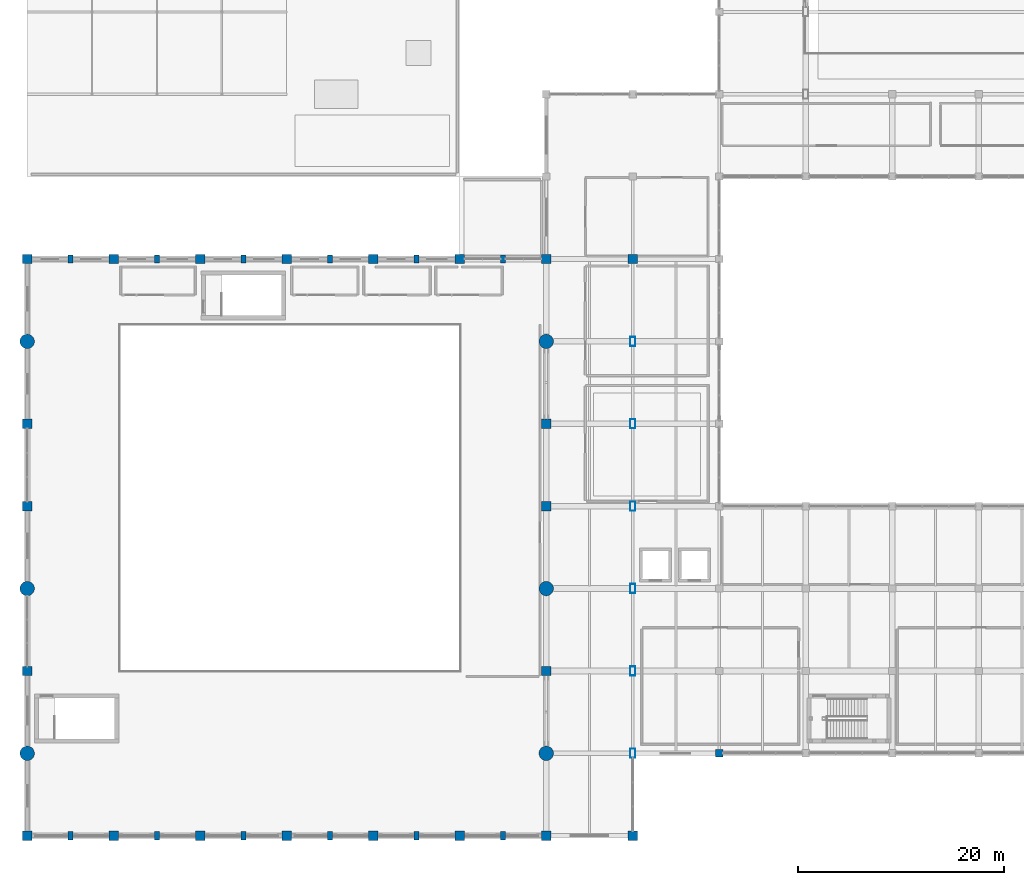
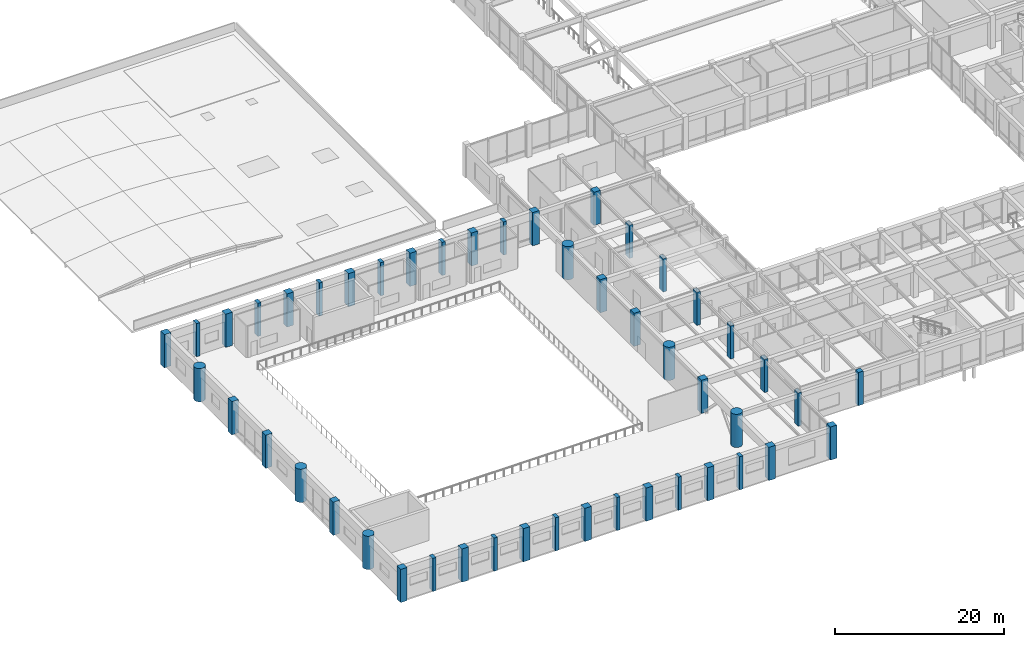
# One storey, part 1 of 76: 47 columns.
"""IFC4 building model written with IfcOpenShell, lengths in metres."""

from ifc_helpers import new_model, si_unit, direction, frame, origin, origin_2d, place, context, subcontext, project, spatial, rectangle, hollow_rectangle, circle, extrude, material, material_profile, profile_set, type_object, element, save


model = new_model("IFC4")

# Units and contexts
model_context = context("Model", 3, precision=1e-05, world=origin(), true_north=direction((0.0, 1.0)))
body_context = subcontext(model_context, "Body", "Model", "MODEL_VIEW")
ifc_project = project(units=[si_unit("LENGTHUNIT", "METRE"), si_unit("AREAUNIT", "SQUARE_METRE"), si_unit("VOLUMEUNIT", "CUBIC_METRE"), si_unit("PLANEANGLEUNIT", "RADIAN"), si_unit("MASSUNIT", "GRAM", prefix="KILO")], contexts=[model_context])

# Site, building, storey
site_placement = place(None, origin())
site = spatial("IfcSite", under=ifc_project, at=site_placement, CompositionType="ELEMENT")
building_placement = place(site_placement, origin())
building = spatial("IfcBuilding", under=site, at=building_placement, Name="Naruveol Harbour Congress Hotel", CompositionType="ELEMENT")
storey_placement = place(building_placement, frame((0.0, 0.0, 11.39990234375)))
storey = spatial("IfcBuildingStorey", under=building, at=storey_placement, Name="L02", CompositionType="ELEMENT", Elevation=11.39990234375)

# Columns
ifc_material_1 = material(Name="Concrete C50/60", Category="concrete")
ifc_material_profile_1 = material_profile(ifc_material_1, rectangle(XDim=0.449951171875, YDim=0.800048828125, at=origin_2d()), Name="RC-450x800")
ifc_profile_set_1 = profile_set([ifc_material_profile_1], Name="Concrete C50/60")
column_type_1 = type_object("IfcColumnType", Name="RC ACOUSTIC WALL PILASTER 450X800", PredefinedType="PILASTER", material=ifc_profile_set_1)
for number, where, z_axis, x_axis, name in (
    (1, (4.199951171875, 0.0, 0.0), (0.0, 0.0, 1.0), (1.0, 0.0, 0.0), "Column PL-450 L02 (4.2,0.0)"),
    (2, (4.199951171875, 56.0, 0.0), (0.0, 0.0, 1.0), (1.0, 0.0, 0.0), "Column PL-450 L02 (4.2,56.0)"),
    (3, (12.60009765625, 0.0, 0.0), (0.0, 0.0, 1.0), (1.0, 0.0, 0.0), "Column PL-450 L02 (12.6,0.0)"),
    (4, (12.60009765625, 56.0, 0.0), (0.0, 0.0, 1.0), (1.0, 0.0, 0.0), "Column PL-450 L02 (12.6,56.0)"),
    (5, (21.0, 0.0, 0.0), (0.0, 0.0, 1.0), (1.0, 0.0, 0.0), "Column PL-450 L02 (21.0,0.0)"),
    (6, (21.0, 56.0, 0.0), (0.0, 0.0, 1.0), (1.0, 0.0, 0.0), "Column PL-450 L02 (21.0,56.0)"),
    (7, (29.39990234375, 0.0, 0.0), (0.0, 0.0, 1.0), (1.0, 0.0, 0.0), "Column PL-450 L02 (29.4,0.0)"),
    (8, (29.39990234375, 56.0, 0.0), (0.0, 0.0, 1.0), (1.0, 0.0, 0.0), "Column PL-450 L02 (29.4,56.0)"),
    (9, (37.800048828125, 0.0, 0.0), (0.0, 0.0, 1.0), (1.0, 0.0, 0.0), "Column PL-450 L02 (37.8,0.0)"),
    (10, (37.800048828125, 56.0, 0.0), (0.0, 0.0, 1.0), (1.0, 0.0, 0.0), "Column PL-450 L02 (37.8,56.0)"),
    (11, (46.199951171875, 0.0, 0.0), (0.0, 0.0, 1.0), (1.0, 0.0, 0.0), "Column PL-450 L02 (46.2,0.0)"),
    (12, (46.199951171875, 56.0, 0.0), (0.0, 0.0, 1.0), (1.0, 0.0, 0.0), "Column PL-450 L02 (46.2,56.0)"),
):
    element("IfcColumn", number, at=place(storey_placement, frame(where, z_axis=z_axis, x_axis=x_axis)), inside=storey, type_object=column_type_1, Name=name, PredefinedType="PILASTER", context=body_context, shape_type="SweptSolid", body=[
        extrude(rectangle(XDim=0.449951171875, YDim=0.800048828125, at=origin_2d()), origin(), (0.0, 0.0, 1.0), 4.800048828125),
    ])
ifc_material_2 = material(Name="Concrete C40/50", Category="concrete")
ifc_material_profile_2 = material_profile(ifc_material_2, rectangle(XDim=0.699951171875, YDim=0.699951171875, at=origin_2d()), Name="RC-700x700")
ifc_profile_set_2 = profile_set([ifc_material_profile_2], Name="Concrete C40/50")
column_type_2 = type_object("IfcColumnType", Name="RC HOTEL COLUMN 700X700", PredefinedType="COLUMN", material=ifc_profile_set_2)
column_placement = place(storey_placement, frame((67.199951171875, 8.0, 0.0), z_axis=(0.0, 0.0, 1.0), x_axis=(1.0, 0.0, 0.0)))
element("IfcColumn", 13, at=column_placement, inside=storey, type_object=column_type_2, Name="Column C-700 L02 (67.2,8.0)", PredefinedType="COLUMN", context=body_context, shape_type="SweptSolid", body=[
    extrude(rectangle(XDim=0.699951171875, YDim=0.699951171875, at=origin_2d()), origin(), (0.0, 0.0, 1.0), 4.800048828125),
])
ifc_material_3 = material(Name="Concrete C50/60", Category="concrete")
ifc_material_profile_3 = material_profile(ifc_material_3, circle(Radius=0.699951171875, at=origin_2d()), Name="RC-D1400")
ifc_profile_set_3 = profile_set([ifc_material_profile_3], Name="Concrete C50/60")
column_type_3 = type_object("IfcColumnType", Name="RC MEGA COLUMN D1400", PredefinedType="COLUMN", material=ifc_profile_set_3)
for number, where, z_axis, x_axis, name in (
    (14, (0.0, 8.0, 0.0), (0.0, 0.0, 1.0), (1.0, 0.0, 0.0), "Column C-MD1400 L02 (0.0,8.0)"),
    (15, (0.0, 24.0, 0.0), (0.0, 0.0, 1.0), (1.0, 0.0, 0.0), "Column C-MD1400 L02 (0.0,24.0)"),
    (16, (0.0, 48.0, 0.0), (0.0, 0.0, 1.0), (1.0, 0.0, 0.0), "Column C-MD1400 L02 (0.0,48.0)"),
    (17, (50.39990234375, 8.0, 0.0), (0.0, 0.0, 1.0), (1.0, 0.0, 0.0), "Column C-MD1400 L02 (50.4,8.0)"),
    (18, (50.39990234375, 24.0, 0.0), (0.0, 0.0, 1.0), (1.0, 0.0, 0.0), "Column C-MD1400 L02 (50.4,24.0)"),
    (19, (50.39990234375, 48.0, 0.0), (0.0, 0.0, 1.0), (1.0, 0.0, 0.0), "Column C-MD1400 L02 (50.4,48.0)"),
):
    element("IfcColumn", number, at=place(storey_placement, frame(where, z_axis=z_axis, x_axis=x_axis)), inside=storey, type_object=column_type_3, Name=name, PredefinedType="COLUMN", context=body_context, shape_type="SweptSolid", body=[
        extrude(circle(Radius=0.699951171875, at=origin_2d()), origin(), (0.0, 0.0, 1.0), 4.800048828125),
    ])
ifc_material_4 = material(Name="Concrete C50/60", Category="concrete")
ifc_material_profile_4 = material_profile(ifc_material_4, rectangle(XDim=0.89990234375, YDim=0.89990234375, at=origin_2d()), Name="RC-900x900")
ifc_profile_set_4 = profile_set([ifc_material_profile_4], Name="Concrete C50/60")
column_type_4 = type_object("IfcColumnType", Name="RC PRIMARY COLUMN 900X900", PredefinedType="COLUMN", material=ifc_profile_set_4)
for number, where, z_axis, x_axis, name in (
    (20, (0.0, 0.0, 0.0), (0.0, 0.0, 1.0), (1.0, 0.0, 0.0), "Column C-900 L02 (0.0,0.0)"),
    (21, (0.0, 16.0, 0.0), (0.0, 0.0, 1.0), (1.0, 0.0, 0.0), "Column C-900 L02 (0.0,16.0)"),
    (22, (0.0, 32.0, 0.0), (0.0, 0.0, 1.0), (1.0, 0.0, 0.0), "Column C-900 L02 (0.0,32.0)"),
    (23, (0.0, 40.0, 0.0), (0.0, 0.0, 1.0), (1.0, 0.0, 0.0), "Column C-900 L02 (0.0,40.0)"),
    (24, (0.0, 56.0, 0.0), (0.0, 0.0, 1.0), (1.0, 0.0, 0.0), "Column C-900 L02 (0.0,56.0)"),
    (25, (8.39990234375, 0.0, 0.0), (0.0, 0.0, 1.0), (1.0, 0.0, 0.0), "Column C-900 L02 (8.4,0.0)"),
    (26, (8.39990234375, 56.0, 0.0), (0.0, 0.0, 1.0), (1.0, 0.0, 0.0), "Column C-900 L02 (8.4,56.0)"),
    (27, (16.800048828125, 0.0, 0.0), (0.0, 0.0, 1.0), (1.0, 0.0, 0.0), "Column C-900 L02 (16.8,0.0)"),
    (28, (16.800048828125, 56.0, 0.0), (0.0, 0.0, 1.0), (1.0, 0.0, 0.0), "Column C-900 L02 (16.8,56.0)"),
    (29, (25.199951171875, 0.0, 0.0), (0.0, 0.0, 1.0), (1.0, 0.0, 0.0), "Column C-900 L02 (25.2,0.0)"),
    (30, (25.199951171875, 56.0, 0.0), (0.0, 0.0, 1.0), (1.0, 0.0, 0.0), "Column C-900 L02 (25.2,56.0)"),
    (31, (33.60009765625, 0.0, 0.0), (0.0, 0.0, 1.0), (1.0, 0.0, 0.0), "Column C-900 L02 (33.6,0.0)"),
    (32, (33.60009765625, 56.0, 0.0), (0.0, 0.0, 1.0), (1.0, 0.0, 0.0), "Column C-900 L02 (33.6,56.0)"),
    (33, (42.0, 0.0, 0.0), (0.0, 0.0, 1.0), (1.0, 0.0, 0.0), "Column C-900 L02 (42.0,0.0)"),
    (34, (42.0, 56.0, 0.0), (0.0, 0.0, 1.0), (1.0, 0.0, 0.0), "Column C-900 L02 (42.0,56.0)"),
    (35, (50.39990234375, 0.0, 0.0), (0.0, 0.0, 1.0), (1.0, 0.0, 0.0), "Column C-900 L02 (50.4,0.0)"),
    (36, (50.39990234375, 16.0, 0.0), (0.0, 0.0, 1.0), (1.0, 0.0, 0.0), "Column C-900 L02 (50.4,16.0)"),
    (37, (50.39990234375, 32.0, 0.0), (0.0, 0.0, 1.0), (1.0, 0.0, 0.0), "Column C-900 L02 (50.4,32.0)"),
    (38, (50.39990234375, 40.0, 0.0), (0.0, 0.0, 1.0), (1.0, 0.0, 0.0), "Column C-900 L02 (50.4,40.0)"),
    (39, (50.39990234375, 56.0, 0.0), (0.0, 0.0, 1.0), (1.0, 0.0, 0.0), "Column C-900 L02 (50.4,56.0)"),
    (40, (58.800048828125, 0.0, 0.0), (0.0, 0.0, 1.0), (1.0, 0.0, 0.0), "Column C-900 L02 (58.8,0.0)"),
    (41, (58.800048828125, 56.0, 0.0), (0.0, 0.0, 1.0), (1.0, 0.0, 0.0), "Column C-900 L02 (58.8,56.0)"),
):
    element("IfcColumn", number, at=place(storey_placement, frame(where, z_axis=z_axis, x_axis=x_axis)), inside=storey, type_object=column_type_4, Name=name, PredefinedType="COLUMN", context=body_context, shape_type="SweptSolid", body=[
        extrude(rectangle(XDim=0.89990234375, YDim=0.89990234375, at=origin_2d()), origin(), (0.0, 0.0, 1.0), 4.800048828125),
    ])
ifc_material_5 = material(Name="Steel SN490", Category="steel")
ifc_material_profile_5 = material_profile(ifc_material_5, hollow_rectangle(XDim=0.5, YDim=0.89990234375, WallThickness=0.02392578125, at=origin_2d()), Name="RHS-900x500x24")
ifc_profile_set_5 = profile_set([ifc_material_profile_5], Name="Steel SN490")
column_type_5 = type_object("IfcColumnType", Name="STEEL HALL COLUMN H900X300", PredefinedType="COLUMN", material=ifc_profile_set_5)
for number, where, z_axis, x_axis, name in (
    (42, (58.800048828125, 8.0, 0.0), (0.0, 0.0, 1.0), (1.0, 0.0, 0.0), "Column SC-H900 L02 (58.8,8.0)"),
    (43, (58.800048828125, 16.0, 0.0), (0.0, 0.0, 1.0), (1.0, 0.0, 0.0), "Column SC-H900 L02 (58.8,16.0)"),
    (44, (58.800048828125, 24.0, 0.0), (0.0, 0.0, 1.0), (1.0, 0.0, 0.0), "Column SC-H900 L02 (58.8,24.0)"),
    (45, (58.800048828125, 32.0, 0.0), (0.0, 0.0, 1.0), (1.0, 0.0, 0.0), "Column SC-H900 L02 (58.8,32.0)"),
    (46, (58.800048828125, 40.0, 0.0), (0.0, 0.0, 1.0), (1.0, 0.0, 0.0), "Column SC-H900 L02 (58.8,40.0)"),
    (47, (58.800048828125, 48.0, 0.0), (0.0, 0.0, 1.0), (1.0, 0.0, 0.0), "Column SC-H900 L02 (58.8,48.0)"),
):
    element("IfcColumn", number, at=place(storey_placement, frame(where, z_axis=z_axis, x_axis=x_axis)), inside=storey, type_object=column_type_5, Name=name, PredefinedType="COLUMN", context=body_context, shape_type="SweptSolid", body=[
        extrude(hollow_rectangle(XDim=0.5, YDim=0.89990234375, WallThickness=0.02392578125, at=origin_2d()), origin(), (0.0, 0.0, 1.0), 4.800048828125),
    ])

save(model, "model.ifc")
